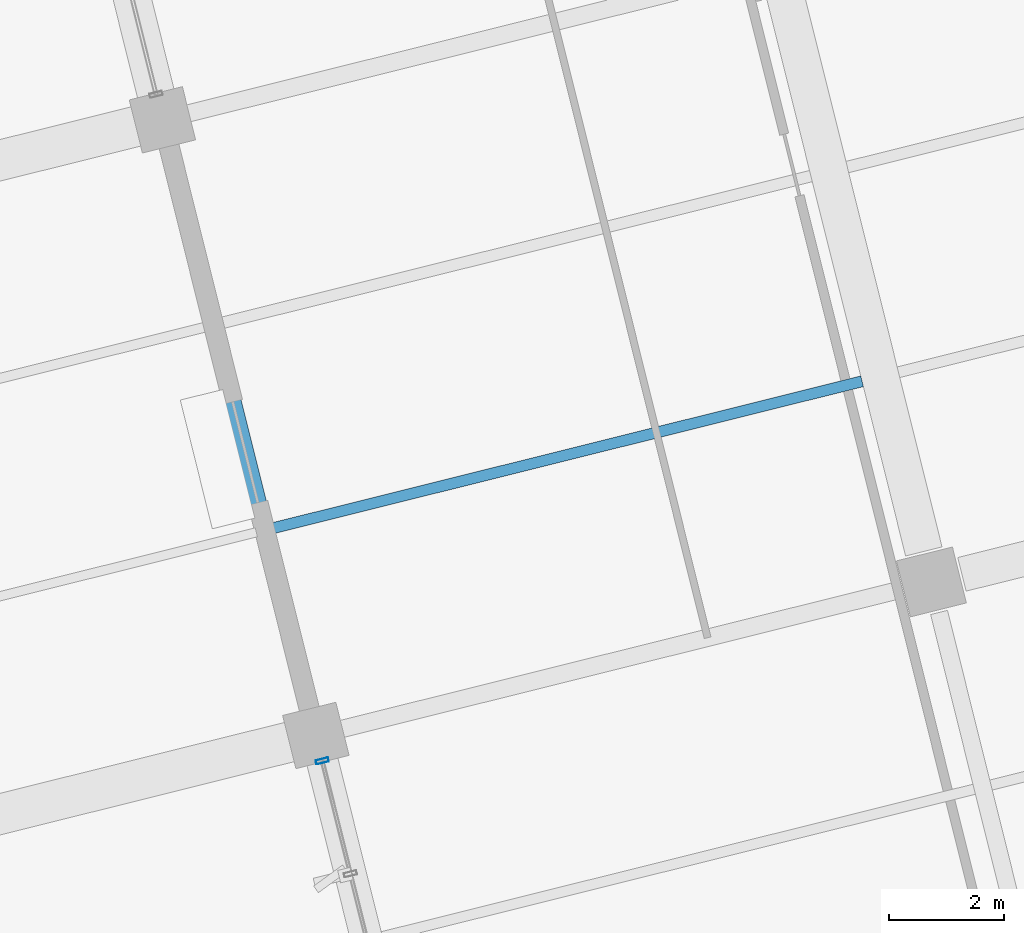
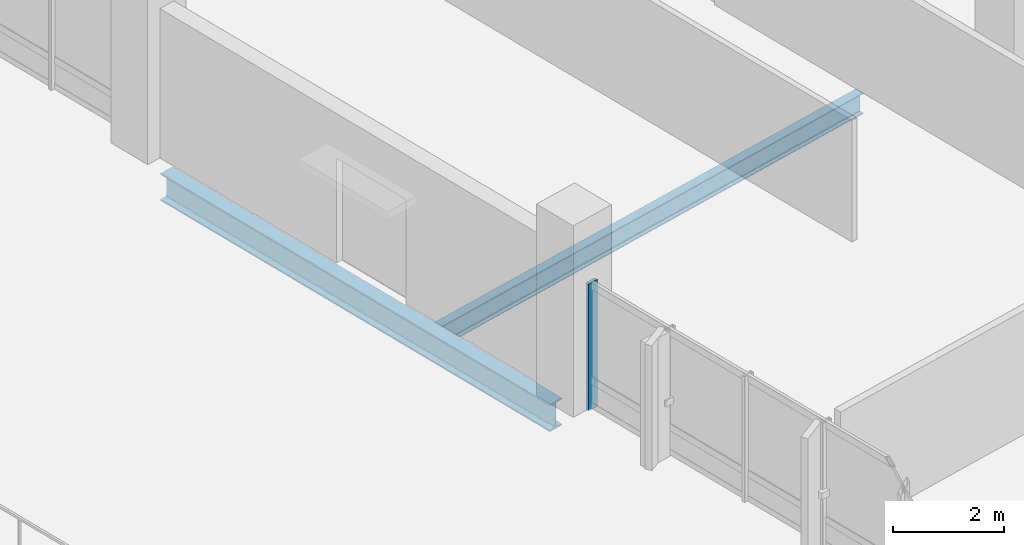
# One storey, part 29 of 75: 2 beams, 1 member, 1 element without a shape of its own.
"""IFC4 building model written with IfcOpenShell, lengths in metres."""

from ifc_helpers import new_model, si_unit, direction, frame, origin, origin_2d, place, context, subcontext, project, spatial, hollow_rectangle, i_section, extrude, material, layer, layer_set, material_profile, profile_set, type_object, element, aggregate, save


model = new_model("IFC4")

# Units and contexts
model_context = context("Model", 3, precision=1e-05, world=origin(), true_north=direction((0.0, 1.0)))
body_context = subcontext(model_context, "Body", "Model", "MODEL_VIEW")
ifc_project = project(units=[si_unit("LENGTHUNIT", "METRE"), si_unit("AREAUNIT", "SQUARE_METRE"), si_unit("VOLUMEUNIT", "CUBIC_METRE"), si_unit("PLANEANGLEUNIT", "RADIAN"), si_unit("MASSUNIT", "GRAM", prefix="KILO")], contexts=[model_context])

# Site, building, storey
site_placement = place(None, origin())
site = spatial("IfcSite", under=ifc_project, at=site_placement, CompositionType="ELEMENT")
building_placement = place(site_placement, origin())
building = spatial("IfcBuilding", under=site, at=building_placement, Name="Khorjan Park Terminus", CompositionType="ELEMENT")
storey_placement = place(building_placement, frame((0.0, 0.0, 16.2)))
storey = spatial("IfcBuildingStorey", under=building, at=storey_placement, Name="L03", CompositionType="ELEMENT", Elevation=16.2)

# Beams
ifc_material_1 = material(Name="Steel S355", Category="steel")
ifc_material_profile_1 = material_profile(ifc_material_1, i_section(OverallWidth=0.3, OverallDepth=0.6, WebThickness=0.0155, FlangeThickness=0.03, FilletRadius=0.027, at=origin_2d()), Name="HEB 600")
ifc_profile_set_1 = profile_set([ifc_material_profile_1], Name="Steel S355")
beam_type_1 = type_object("IfcBeamType", Name="BM-HEB600", PredefinedType="BEAM", material=ifc_profile_set_1)
beam_1_placement = place(storey_placement, frame((187.2615, 53.1325, -0.65), z_axis=(-0.241920438591, 0.970296089548, 0.0), x_axis=(-0.970296089548, -0.241920438591, 0.0)))
element("IfcBeam", 1, at=beam_1_placement, inside=storey, type_object=beam_type_1, Name="Primary skew-grid floor girder SB-B60 (L03)", PredefinedType="BEAM", context=body_context, shape_type="SweptSolid", body=[
    extrude(i_section(OverallWidth=0.3, OverallDepth=0.6, WebThickness=0.0155, FlangeThickness=0.03, FilletRadius=0.027, at=origin_2d()), origin(), (0.0, 0.0, 1.0), 10.0599),
])
ifc_material_profile_2 = material_profile(ifc_material_1, i_section(OverallWidth=0.19, OverallDepth=0.45, WebThickness=0.0094, FlangeThickness=0.0146, FilletRadius=0.021, at=origin_2d()), Name="IPE 450")
ifc_profile_set_2 = profile_set([ifc_material_profile_2], Name="Steel S355")
beam_type_2 = type_object("IfcBeamType", Name="JS-IPE450", PredefinedType="JOIST", material=ifc_profile_set_2)
beam_2_placement = place(storey_placement, frame((186.6337, 56.2705, -0.575), z_axis=(0.970296002015, 0.241920789668, 0.0), x_axis=(-0.241920789668, 0.970296002015, 0.0)))
element("IfcBeam", 2, at=beam_2_placement, inside=storey, type_object=beam_type_2, Name="Secondary composite floor joist SJ-45 (L03)", PredefinedType="JOIST", context=body_context, shape_type="SweptSolid", body=[
    extrude(i_section(OverallWidth=0.19, OverallDepth=0.45, WebThickness=0.0094, FlangeThickness=0.0146, FilletRadius=0.021, at=origin_2d()), origin(), (0.0, 0.0, 1.0), 10.5249),
])

# Curtain wall, member
ifc_material_2 = material(Name="Anodized Bronze Aluminium", Category="aluminium")
ifc_layer = layer(ifc_material_2, 0.22)
ifc_layer_set = layer_set([ifc_layer], Name="Anodized Bronze Aluminium")
curtain_wall_type = type_object("IfcCurtainWallType", Name="CW-OPS-B", PredefinedType="NOTDEFINED", material=ifc_layer_set)
curtain_wall_placement = place(storey_placement, origin())
curtain_wall = element("IfcCurtainWall", 3, at=curtain_wall_placement, inside=storey, type_object=curtain_wall_type, Name="Unitized curtain wall CW-B (CW-V5-NW1-L03-B03)", PredefinedType="NOTDEFINED")
ifc_material_profile_3 = material_profile(ifc_material_2, hollow_rectangle(XDim=0.075, YDim=0.225, WallThickness=0.005, InnerFilletRadius=0.005, OuterFilletRadius=0.01, at=origin_2d()), Name="ALM 75x225x5")
ifc_profile_set_3 = profile_set([ifc_material_profile_3], Name="Anodized Bronze Aluminium")
member_type = type_object("IfcMemberType", Name="ML-ALM-225", PredefinedType="MULLION", material=ifc_profile_set_3)
member_placement = place(storey_placement, frame((187.4854, 52.2346, -0.035), z_axis=(0.0, 0.0, 1.0), x_axis=(0.241919922282, -0.970296218277, 0.0)))
member = element("IfcMember", 4, at=member_placement, type_object=member_type, Name="Curtain-wall mullion ML-22 (CW-V5-NW1-L03-B03-0)", PredefinedType="MULLION", context=body_context, shape_type="SweptSolid", body=[
    extrude(hollow_rectangle(XDim=0.075, YDim=0.225, WallThickness=0.005, InnerFilletRadius=0.005, OuterFilletRadius=0.01, at=origin_2d()), origin(), (0.0, 0.0, 1.0), 2.785),
])
aggregate(curtain_wall, [member])

save(model, "model.ifc")
